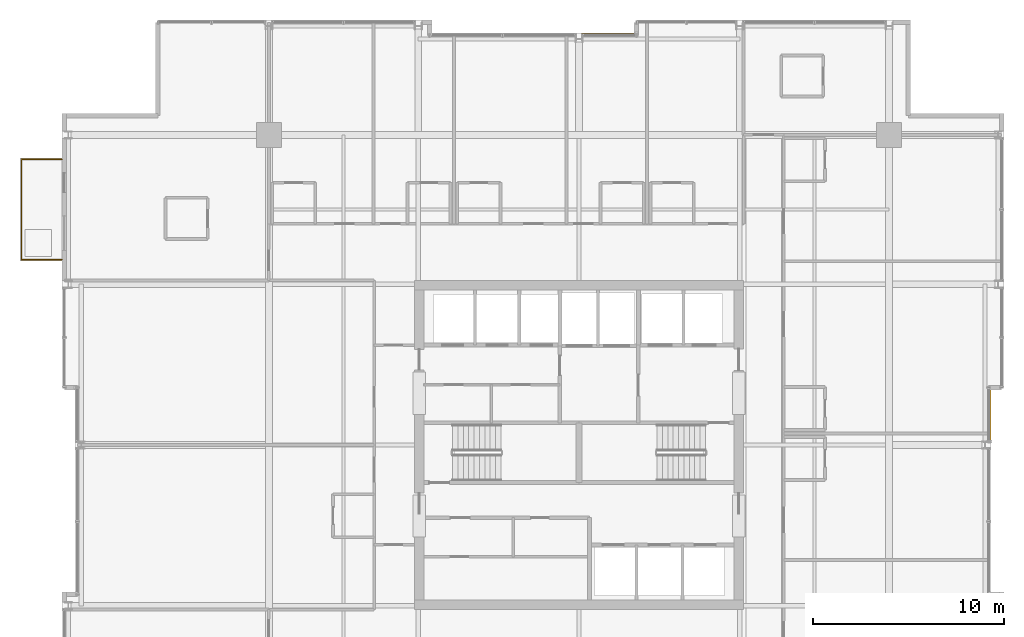
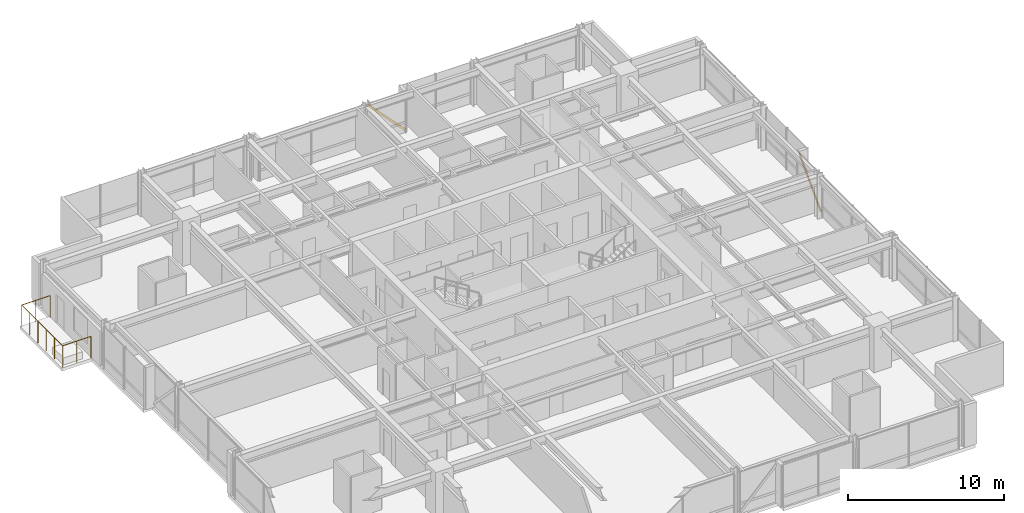
# One storey, part 32 of 32: 2 shading devices, 1 railing.
"""IFC4 building model written with IfcOpenShell, lengths in metres."""

from ifc_helpers import new_model, si_unit, direction, frame, origin, origin_2d, place, context, subcontext, project, spatial, hollow_rectangle, circle, extrude, material, material_profile, profile_set, type_object, element, save


model = new_model("IFC4")

# Units and contexts
model_context = context("Model", 3, precision=1e-05, world=origin(), true_north=direction((0.0, 1.0)))
body_context = subcontext(model_context, "Body", "Model", "MODEL_VIEW")
ifc_project = project(units=[si_unit("LENGTHUNIT", "METRE"), si_unit("AREAUNIT", "SQUARE_METRE"), si_unit("VOLUMEUNIT", "CUBIC_METRE"), si_unit("PLANEANGLEUNIT", "RADIAN"), si_unit("MASSUNIT", "GRAM", prefix="KILO")], contexts=[model_context])

# Site, building, storey
site_placement = place(None, origin())
site = spatial("IfcSite", under=ifc_project, at=site_placement, CompositionType="ELEMENT")
building_placement = place(site_placement, origin())
building = spatial("IfcBuilding", under=site, at=building_placement, Name="Drelvath Grand Hotel", CompositionType="ELEMENT")
storey_placement = place(building_placement, frame((0.0, 0.0, 182.35009765625)))
storey = spatial("IfcBuildingStorey", under=building, at=storey_placement, Name="L47", CompositionType="ELEMENT", Elevation=182.35009765625)

# Shading devices
ifc_material_1 = material(Name="Brushed Pale-Silver Anodised Aluminium", Category="aluminium")
ifc_material_profile = material_profile(ifc_material_1, hollow_rectangle(XDim=0.06494140625, YDim=0.159912109375, WallThickness=0.00390625, at=origin_2d()), Name="HSS160X65X4")
ifc_profile_set = profile_set([ifc_material_profile], Name="Brushed Pale-Silver Anodised Aluminium")
shading_device_type = type_object("IfcShadingDeviceType", Name="Diagonal Solar Fin Pale-Silver Anodised HSS160X65X4", PredefinedType="USERDEFINED", material=ifc_profile_set)
for number, where, z_axis, x_axis, name in (
    (1, (21.47998046875, 27.191650390625, 0.179931640625), (0.0, 0.691969381272, 0.721926849052), (-1.0, 0.0, 0.0), "L47 Diagonal Anodised Fin CW04-L47-EM2"),
    (2, (3.0, 48.47998046875, 0.179931640625), (-0.691969381272, 0.0, 0.721926849052), (0.0, -1.0, 0.0), "L47 Diagonal Anodised Fin CW04-L47-NM2"),
):
    element("IfcShadingDevice", number, at=place(storey_placement, frame(where, z_axis=z_axis, x_axis=x_axis)), inside=storey, type_object=shading_device_type, Name=name, ObjectType="FIN", PredefinedType="USERDEFINED", context=body_context, shape_type="SweptSolid", body=[
        extrude(hollow_rectangle(XDim=0.06494140625, YDim=0.159912109375, WallThickness=0.00390625, at=origin_2d()), origin(), (0.0, 0.0, 1.0), 4.05859375),
    ])

# Railing
ifc_material_2 = material(Name="Anodised Aluminium and Laminated Glass Balustrade", Category="aluminium")
railing_type = type_object("IfcRailingType", Name="Raised Planter Edge Balustrade 1700", PredefinedType="BALUSTRADE", material=ifc_material_2)
railing_placement = place(storey_placement, frame((-27.02001953125, 36.679931640625, 0.0)))
element("IfcRailing", 3, at=railing_placement, inside=storey, type_object=railing_type, Name="L47 Tree Balcony Perimeter Balustrade 1", PredefinedType="BALUSTRADE", context=body_context, shape_type="SweptSolid", body=[
    extrude(circle(Radius=0.02392578125, at=origin_2d()), frame((0.0, 0.0, 1.67578125), z_axis=(-1.0, 0.0, 0.0), x_axis=(0.0, -1.0, 0.0)), (0.0, 0.0, 1.0), 2.10009765625),
    extrude(circle(Radius=0.02392578125, at=origin_2d()), frame((-2.10009765625, 0.0, 1.67578125), z_axis=(0.0, 1.0, 0.0), x_axis=(-1.0, 0.0, 0.0)), (0.0, 0.0, 1.0), 5.239990234375),
    extrude(circle(Radius=0.02392578125, at=origin_2d()), frame((-2.10009765625, 5.239990234375, 1.67578125), z_axis=(1.0, 0.0, 0.0), x_axis=(0.0, 1.0, 0.0)), (0.0, 0.0, 1.0), 2.10009765625),
    extrude(circle(Radius=0.02099609375, at=origin_2d()), origin(), (0.0, 0.0, 1.0), 1.65185546875),
    extrude(circle(Radius=0.02099609375, at=origin_2d()), frame((-1.050048828125, 0.0, 0.0)), (0.0, 0.0, 1.0), 1.65185546875),
    extrude(circle(Radius=0.02099609375, at=origin_2d()), frame((-2.10009765625, 0.0, 0.0)), (0.0, 0.0, 1.0), 1.65185546875),
    extrude(circle(Radius=0.02099609375, at=origin_2d()), frame((-2.10009765625, 1.048095703125, 0.0)), (0.0, 0.0, 1.0), 1.65185546875),
    extrude(circle(Radius=0.02099609375, at=origin_2d()), frame((-2.10009765625, 2.095947265625, 0.0)), (0.0, 0.0, 1.0), 1.65185546875),
    extrude(circle(Radius=0.02099609375, at=origin_2d()), frame((-2.10009765625, 3.14404296875, 0.0)), (0.0, 0.0, 1.0), 1.65185546875),
    extrude(circle(Radius=0.02099609375, at=origin_2d()), frame((-2.10009765625, 4.19189453125, 0.0)), (0.0, 0.0, 1.0), 1.65185546875),
    extrude(circle(Radius=0.02099609375, at=origin_2d()), frame((-2.10009765625, 5.239990234375, 0.0)), (0.0, 0.0, 1.0), 1.65185546875),
    extrude(circle(Radius=0.02099609375, at=origin_2d()), frame((-1.050048828125, 5.239990234375, 0.0)), (0.0, 0.0, 1.0), 1.65185546875),
    extrude(circle(Radius=0.02099609375, at=origin_2d()), frame((0.0, 5.239990234375, 0.0)), (0.0, 0.0, 1.0), 1.65185546875),
])

save(model, "model.ifc")
